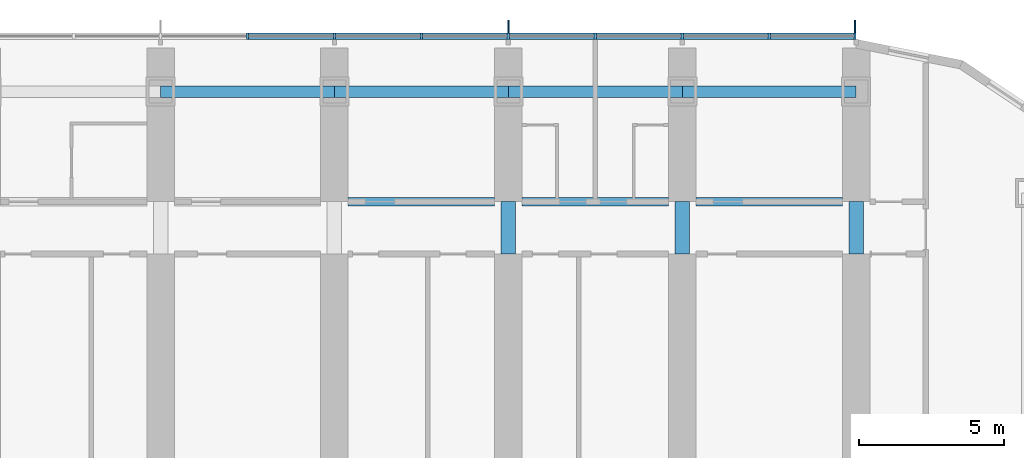
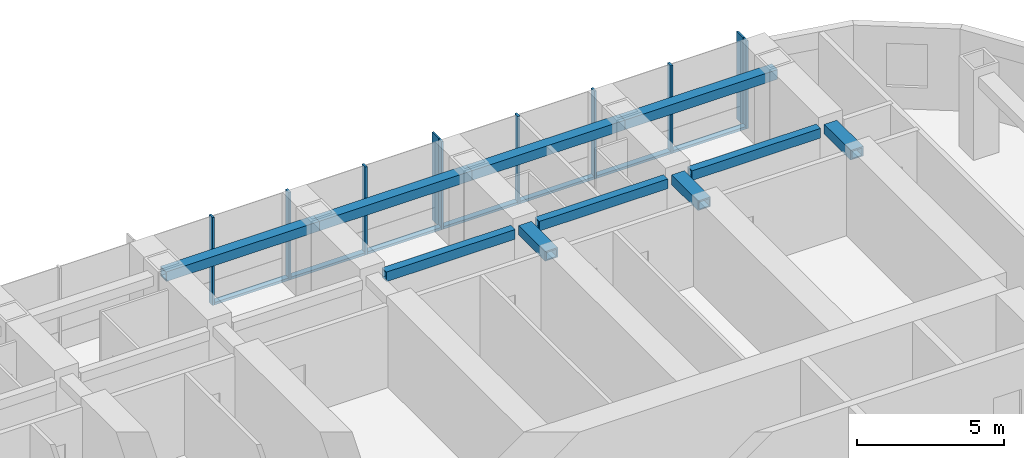
# One storey, part 5 of 20: 17 members, 10 beams, 1 element without a shape of its own.
"""IFC4 building model written with IfcOpenShell, lengths in metres."""

from ifc_helpers import new_model, si_unit, direction, frame, origin, origin_2d, place, context, subcontext, project, spatial, rectangle, hollow_rectangle, extrude, material, material_profile, profile_set, type_object, element, aggregate, save


model = new_model("IFC4")

# Units and contexts
model_context = context("Model", 3, precision=1e-05, world=origin(), true_north=direction((0.0, 1.0)))
body_context = subcontext(model_context, "Body", "Model", "MODEL_VIEW")
ifc_project = project(units=[si_unit("LENGTHUNIT", "METRE"), si_unit("AREAUNIT", "SQUARE_METRE"), si_unit("VOLUMEUNIT", "CUBIC_METRE"), si_unit("PLANEANGLEUNIT", "RADIAN"), si_unit("MASSUNIT", "GRAM", prefix="KILO")], contexts=[model_context])

# Site, building, storey
site_placement = place(None, origin())
site = spatial("IfcSite", under=ifc_project, at=site_placement, CompositionType="ELEMENT")
building_placement = place(site_placement, origin())
building = spatial("IfcBuilding", under=site, at=building_placement, Name="Orbita Commons", CompositionType="ELEMENT")
storey_placement = place(building_placement, frame((0.0, 0.0, 129.39990234375)))
storey = spatial("IfcBuildingStorey", under=building, at=storey_placement, Name="L32", CompositionType="ELEMENT", Elevation=129.39990234375)

# Curtain wall, members
ifc_material_1 = material(Name="Anodised aluminium frame, pale silver", Category="aluminium")
curtain_wall_type = type_object("IfcCurtainWallType", Name="Unitised curtain wall CW-T, vision and spandrel", PredefinedType="NOTDEFINED", material=ifc_material_1)
curtain_wall_placement = place(storey_placement, origin())
curtain_wall = element("IfcCurtainWall", 1, at=curtain_wall_placement, inside=storey, type_object=curtain_wall_type, Name="Curtain wall north L32", PredefinedType="NOTDEFINED")
ifc_material_2 = material(Name="Anodised aluminium, pale silver", Category="aluminium")
ifc_material_profile_1 = material_profile(ifc_material_2, rectangle(XDim=0.080078125, YDim=0.219970703125, at=origin_2d()), Name="AL 80x220")
ifc_profile_set_1 = profile_set([ifc_material_profile_1], Name="Anodised aluminium, pale silver")
member_type_1 = type_object("IfcMemberType", Name="Curtain wall mullion 80x220", PredefinedType="MULLION", material=ifc_profile_set_1)
member_1_placement = place(storey_placement, frame((65.9599609375, 55.510009765625, -0.25), z_axis=(0.0, 0.0, 1.0), x_axis=(-1.0, 0.0, 0.0)))
member_1 = element("IfcMember", 2, at=member_1_placement, type_object=member_type_1, Name="Mullion 1 CW-L32-N", PredefinedType="MULLION", context=body_context, shape_type="SweptSolid", body=[
    extrude(rectangle(XDim=0.080078125, YDim=0.219970703125, at=origin_2d()), origin(), (0.0, 0.0, 1.0), 3.650146484375),
])
member_2_placement = place(storey_placement, frame((63.0, 55.510009765625, -0.25), z_axis=(0.0, 0.0, 1.0), x_axis=(-1.0, 0.0, 0.0)))
member_2 = element("IfcMember", 3, at=member_2_placement, type_object=member_type_1, Name="Mullion 2 CW-L32-N", PredefinedType="MULLION", context=body_context, shape_type="SweptSolid", body=[
    extrude(rectangle(XDim=0.080078125, YDim=0.219970703125, at=origin_2d()), origin(), (0.0, 0.0, 1.0), 3.650146484375),
])
member_3_placement = place(storey_placement, frame((60.0, 55.510009765625, -0.25), z_axis=(0.0, 0.0, 1.0), x_axis=(-1.0, 0.0, 0.0)))
member_3 = element("IfcMember", 4, at=member_3_placement, type_object=member_type_1, Name="Mullion 3 CW-L32-N", PredefinedType="MULLION", context=body_context, shape_type="SweptSolid", body=[
    extrude(rectangle(XDim=0.080078125, YDim=0.219970703125, at=origin_2d()), origin(), (0.0, 0.0, 1.0), 3.650146484375),
])
member_4_placement = place(storey_placement, frame((57.0, 55.510009765625, -0.25), z_axis=(0.0, 0.0, 1.0), x_axis=(-1.0, 0.0, 0.0)))
member_4 = element("IfcMember", 5, at=member_4_placement, type_object=member_type_1, Name="Mullion 4 CW-L32-N", PredefinedType="MULLION", context=body_context, shape_type="SweptSolid", body=[
    extrude(rectangle(XDim=0.080078125, YDim=0.219970703125, at=origin_2d()), origin(), (0.0, 0.0, 1.0), 3.650146484375),
])
member_5_placement = place(storey_placement, frame((54.0, 55.510009765625, -0.25), z_axis=(0.0, 0.0, 1.0), x_axis=(-1.0, 0.0, 0.0)))
member_5 = element("IfcMember", 6, at=member_5_placement, type_object=member_type_1, Name="Mullion 5 CW-L32-N", PredefinedType="MULLION", context=body_context, shape_type="SweptSolid", body=[
    extrude(rectangle(XDim=0.080078125, YDim=0.219970703125, at=origin_2d()), origin(), (0.0, 0.0, 1.0), 3.650146484375),
])
member_6_placement = place(storey_placement, frame((51.0, 55.510009765625, -0.25), z_axis=(0.0, 0.0, 1.0), x_axis=(-1.0, 0.0, 0.0)))
member_6 = element("IfcMember", 7, at=member_6_placement, type_object=member_type_1, Name="Mullion 6 CW-L32-N", PredefinedType="MULLION", context=body_context, shape_type="SweptSolid", body=[
    extrude(rectangle(XDim=0.080078125, YDim=0.219970703125, at=origin_2d()), origin(), (0.0, 0.0, 1.0), 3.650146484375),
])
member_7_placement = place(storey_placement, frame((48.0, 55.510009765625, -0.25), z_axis=(0.0, 0.0, 1.0), x_axis=(-1.0, 0.0, 0.0)))
member_7 = element("IfcMember", 8, at=member_7_placement, type_object=member_type_1, Name="Mullion 7 CW-L32-N", PredefinedType="MULLION", context=body_context, shape_type="SweptSolid", body=[
    extrude(rectangle(XDim=0.080078125, YDim=0.219970703125, at=origin_2d()), origin(), (0.0, 0.0, 1.0), 3.650146484375),
])
member_8_placement = place(storey_placement, frame((45.0, 55.510009765625, -0.25), z_axis=(0.0, 0.0, 1.0), x_axis=(-1.0, 0.0, 0.0)))
member_8 = element("IfcMember", 9, at=member_8_placement, type_object=member_type_1, Name="Mullion 8 CW-L32-N", PredefinedType="MULLION", context=body_context, shape_type="SweptSolid", body=[
    extrude(rectangle(XDim=0.080078125, YDim=0.219970703125, at=origin_2d()), origin(), (0.0, 0.0, 1.0), 3.650146484375),
])
ifc_material_3 = material(Name="Anodised aluminium, pale silver", Category="aluminium")
ifc_material_profile_2 = material_profile(ifc_material_3, rectangle(XDim=0.219970703125, YDim=0.10009765625, at=origin_2d()), Name="AL 220x100")
ifc_profile_set_2 = profile_set([ifc_material_profile_2], Name="Anodised aluminium, pale silver")
member_type_2 = type_object("IfcMemberType", Name="Curtain wall stack transom 220x100", PredefinedType="USERDEFINED", material=ifc_profile_set_2)
member_9_placement = place(storey_placement, frame((65.919921875, 55.510009765625, -0.199951171875), z_axis=(-1.0, 0.0, 0.0), x_axis=(0.0, -1.0, 0.0)))
member_9 = element("IfcMember", 10, at=member_9_placement, type_object=member_type_2, Name="Transom 1.1 CW-L32-N", ObjectType="TRANSOM", PredefinedType="USERDEFINED", context=body_context, shape_type="SweptSolid", body=[
    extrude(rectangle(XDim=0.219970703125, YDim=0.10009765625, at=origin_2d()), origin(), (0.0, 0.0, 1.0), 2.8798828125),
])
member_10_placement = place(storey_placement, frame((62.9599609375, 55.510009765625, -0.199951171875), z_axis=(-1.0, 0.0, 0.0), x_axis=(0.0, -1.0, 0.0)))
member_10 = element("IfcMember", 11, at=member_10_placement, type_object=member_type_2, Name="Transom 2.1 CW-L32-N", ObjectType="TRANSOM", PredefinedType="USERDEFINED", context=body_context, shape_type="SweptSolid", body=[
    extrude(rectangle(XDim=0.219970703125, YDim=0.10009765625, at=origin_2d()), origin(), (0.0, 0.0, 1.0), 2.919921875),
])
member_11_placement = place(storey_placement, frame((59.9599609375, 55.510009765625, -0.199951171875), z_axis=(-1.0, 0.0, 0.0), x_axis=(0.0, -1.0, 0.0)))
member_11 = element("IfcMember", 12, at=member_11_placement, type_object=member_type_2, Name="Transom 3.1 CW-L32-N", ObjectType="TRANSOM", PredefinedType="USERDEFINED", context=body_context, shape_type="SweptSolid", body=[
    extrude(rectangle(XDim=0.219970703125, YDim=0.10009765625, at=origin_2d()), origin(), (0.0, 0.0, 1.0), 2.919921875),
])
member_12_placement = place(storey_placement, frame((56.9599609375, 55.510009765625, -0.199951171875), z_axis=(-1.0, 0.0, 0.0), x_axis=(0.0, -1.0, 0.0)))
member_12 = element("IfcMember", 13, at=member_12_placement, type_object=member_type_2, Name="Transom 4.1 CW-L32-N", ObjectType="TRANSOM", PredefinedType="USERDEFINED", context=body_context, shape_type="SweptSolid", body=[
    extrude(rectangle(XDim=0.219970703125, YDim=0.10009765625, at=origin_2d()), origin(), (0.0, 0.0, 1.0), 2.919921875),
])
member_13_placement = place(storey_placement, frame((53.9599609375, 55.510009765625, -0.199951171875), z_axis=(-1.0, 0.0, 0.0), x_axis=(0.0, -1.0, 0.0)))
member_13 = element("IfcMember", 14, at=member_13_placement, type_object=member_type_2, Name="Transom 5.1 CW-L32-N", ObjectType="TRANSOM", PredefinedType="USERDEFINED", context=body_context, shape_type="SweptSolid", body=[
    extrude(rectangle(XDim=0.219970703125, YDim=0.10009765625, at=origin_2d()), origin(), (0.0, 0.0, 1.0), 2.919921875),
])
member_14_placement = place(storey_placement, frame((50.9599609375, 55.510009765625, -0.199951171875), z_axis=(-1.0, 0.0, 0.0), x_axis=(0.0, -1.0, 0.0)))
member_14 = element("IfcMember", 15, at=member_14_placement, type_object=member_type_2, Name="Transom 6.1 CW-L32-N", ObjectType="TRANSOM", PredefinedType="USERDEFINED", context=body_context, shape_type="SweptSolid", body=[
    extrude(rectangle(XDim=0.219970703125, YDim=0.10009765625, at=origin_2d()), origin(), (0.0, 0.0, 1.0), 2.919921875),
])
member_15_placement = place(storey_placement, frame((47.9599609375, 55.510009765625, -0.199951171875), z_axis=(-1.0, 0.0, 0.0), x_axis=(0.0, -1.0, 0.0)))
member_15 = element("IfcMember", 16, at=member_15_placement, type_object=member_type_2, Name="Transom 7.1 CW-L32-N", ObjectType="TRANSOM", PredefinedType="USERDEFINED", context=body_context, shape_type="SweptSolid", body=[
    extrude(rectangle(XDim=0.219970703125, YDim=0.10009765625, at=origin_2d()), origin(), (0.0, 0.0, 1.0), 2.919921875),
])

# Beams
ifc_material_4 = material(Name="Steel ASTM A572 Gr 50 welded plate", Category="steel")
ifc_material_profile_3 = material_profile(ifc_material_4, hollow_rectangle(XDim=0.300048828125, YDim=0.39990234375, WallThickness=0.0400390625, at=origin_2d()), Name="BOX 400x300x40")
ifc_profile_set_3 = profile_set([ifc_material_profile_3], Name="Steel ASTM A572 Gr 50 welded plate")
beam_type_1 = type_object("IfcBeamType", Name="Steel corridor link BOX 400x300x40", PredefinedType="BEAM", material=ifc_profile_set_3)
for number, where, z_axis, x_axis, name in (
    (17, (48.47509765625, 49.800048828125, 3.2001953125), (1.0, 0.0, 0.0), (0.0, 1.0, 0.0), "Corridor beam NB 9-10 L32"),
    (18, (54.47509765625, 49.800048828125, 3.2001953125), (1.0, 0.0, 0.0), (0.0, 1.0, 0.0), "Corridor beam NB 10-11 L32"),
    (19, (60.47509765625, 49.800048828125, 3.2001953125), (1.0, 0.0, 0.0), (0.0, 1.0, 0.0), "Corridor beam NB 11-12 L32"),
):
    element("IfcBeam", number, at=place(storey_placement, frame(where, z_axis=z_axis, x_axis=x_axis)), inside=storey, type_object=beam_type_1, Name=name, PredefinedType="BEAM", context=body_context, shape_type="SweptSolid", body=[
        extrude(hollow_rectangle(XDim=0.300048828125, YDim=0.39990234375, WallThickness=0.0400390625, at=origin_2d()), origin(), (0.0, 0.0, 1.0), 5.0498046875),
    ])
ifc_material_5 = material(Name="Steel ASTM A572 Gr 50 welded plate", Category="steel")
ifc_material_profile_4 = material_profile(ifc_material_5, hollow_rectangle(XDim=0.5, YDim=0.39990234375, WallThickness=0.050048828125, at=origin_2d()), Name="BOX 400x500x50")
ifc_profile_set_4 = profile_set([ifc_material_profile_4], Name="Steel ASTM A572 Gr 50 welded plate")
beam_type_2 = type_object("IfcBeamType", Name="Steel coupling link BOX 400x500x50", PredefinedType="LINTEL", material=ifc_profile_set_4)
for number, where, z_axis, x_axis, name in (
    (20, (54.0, 48.0, 3.2001953125), (0.0, 1.0, 0.0), (-1.0, 0.0, 0.0), "Coupling beam 10 north L32"),
    (21, (60.0, 48.0, 3.2001953125), (0.0, 1.0, 0.0), (-1.0, 0.0, 0.0), "Coupling beam 11 north L32"),
    (22, (66.0, 48.0, 3.2001953125), (0.0, 1.0, 0.0), (-1.0, 0.0, 0.0), "Coupling beam 12 north L32"),
):
    element("IfcBeam", number, at=place(storey_placement, frame(where, z_axis=z_axis, x_axis=x_axis)), inside=storey, type_object=beam_type_2, Name=name, PredefinedType="LINTEL", context=body_context, shape_type="SweptSolid", body=[
        extrude(hollow_rectangle(XDim=0.5, YDim=0.39990234375, WallThickness=0.050048828125, at=origin_2d()), origin(), (0.0, 0.0, 1.0), 1.800048828125),
    ])
ifc_material_6 = material(Name="Steel ASTM A572 Gr 50 welded plate", Category="steel")
ifc_material_profile_5 = material_profile(ifc_material_6, hollow_rectangle(XDim=0.39990234375, YDim=0.39990234375, WallThickness=0.0400390625, at=origin_2d()), Name="BOX 400x400x40")
ifc_profile_set_5 = profile_set([ifc_material_profile_5], Name="Steel ASTM A572 Gr 50 welded plate")
beam_type_3 = type_object("IfcBeamType", Name="Steel spandrel BOX 400x400x40", PredefinedType="SPANDREL", material=ifc_profile_set_5)
for number, where, z_axis, x_axis, name in (
    (23, (42.0, 53.60009765625, 3.2001953125), (1.0, 0.0, 0.0), (0.0, 1.0, 0.0), "Spandrel beam E 8-9 L32"),
    (24, (48.0, 53.60009765625, 3.2001953125), (1.0, 0.0, 0.0), (0.0, 1.0, 0.0), "Spandrel beam E 9-10 L32"),
    (25, (54.0, 53.60009765625, 3.2001953125), (1.0, 0.0, 0.0), (0.0, 1.0, 0.0), "Spandrel beam E 10-11 L32"),
    (26, (60.0, 53.60009765625, 3.2001953125), (1.0, 0.0, 0.0), (0.0, 1.0, 0.0), "Spandrel beam E 11-12 L32"),
):
    element("IfcBeam", number, at=place(storey_placement, frame(where, z_axis=z_axis, x_axis=x_axis)), inside=storey, type_object=beam_type_3, Name=name, PredefinedType="SPANDREL", context=body_context, shape_type="SweptSolid", body=[
        extrude(hollow_rectangle(XDim=0.39990234375, YDim=0.39990234375, WallThickness=0.0400390625, at=origin_2d()), origin(), (0.0, 0.0, 1.0), 6.0),
    ])

# Member
ifc_material_7 = material(Name="Anodised aluminium, pale silver", Category="aluminium")
ifc_material_profile_6 = material_profile(ifc_material_7, rectangle(XDim=0.06005859375, YDim=0.449951171875, at=origin_2d()), Name="FIN 60x450")
ifc_profile_set_6 = profile_set([ifc_material_profile_6], Name="Anodised aluminium, pale silver")
member_type_3 = type_object("IfcMemberType", Name="Vertical fin 60x450 pale aluminium", PredefinedType="USERDEFINED", material=ifc_profile_set_6)
member_16_placement = place(storey_placement, frame((65.9599609375, 55.844970703125, -0.25), z_axis=(0.0, 0.0, 1.0), x_axis=(-1.0, 0.0, 0.0)))
member_16 = element("IfcMember", 27, at=member_16_placement, type_object=member_type_3, Name="Fin 1 CW-L32-N", ObjectType="FIN", PredefinedType="USERDEFINED", context=body_context, shape_type="SweptSolid", body=[
    extrude(rectangle(XDim=0.06005859375, YDim=0.449951171875, at=origin_2d()), origin(), (0.0, 0.0, 1.0), 3.650146484375),
])

member_17_placement = place(storey_placement, frame((54.0, 55.844970703125, -0.25), z_axis=(0.0, 0.0, 1.0), x_axis=(-1.0, 0.0, 0.0)))
member_17 = element("IfcMember", 28, at=member_17_placement, type_object=member_type_3, Name="Fin 5 CW-L32-N", ObjectType="FIN", PredefinedType="USERDEFINED", context=body_context, shape_type="SweptSolid", body=[
    extrude(rectangle(XDim=0.06005859375, YDim=0.449951171875, at=origin_2d()), origin(), (0.0, 0.0, 1.0), 3.650146484375),
])

aggregate(curtain_wall, [member_1, member_16, member_2, member_3, member_4, member_5, member_17, member_6, member_7, member_8, member_9, member_10, member_11, member_12, member_13, member_14, member_15])

save(model, "model.ifc")
